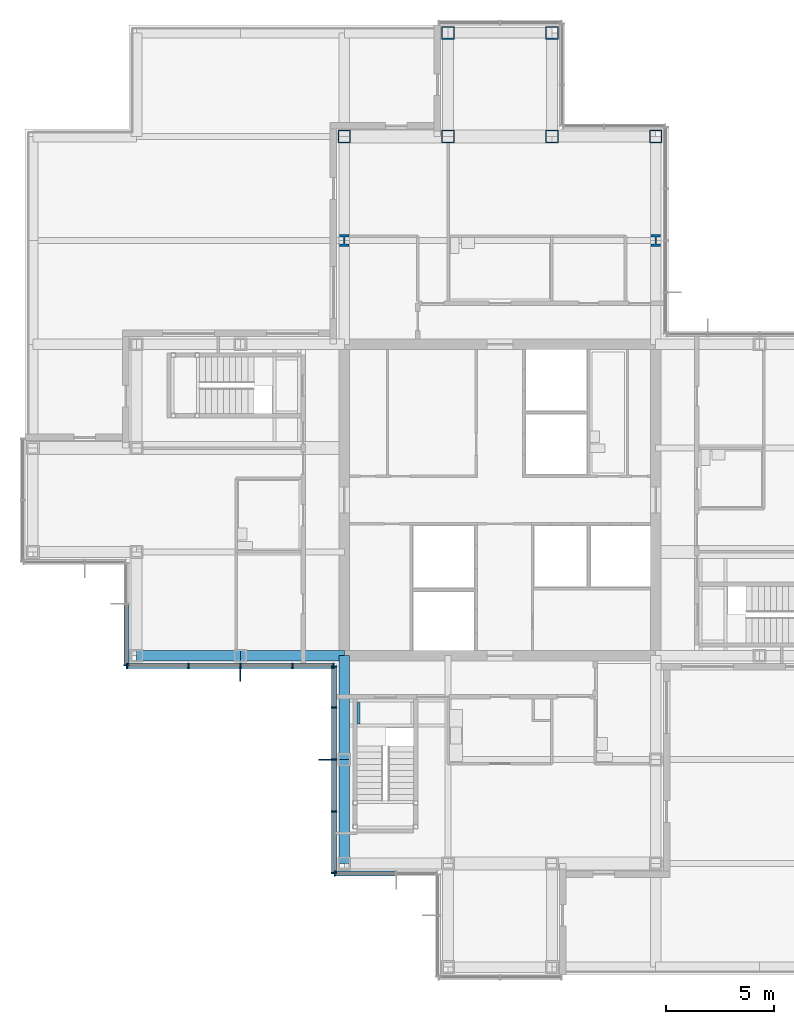
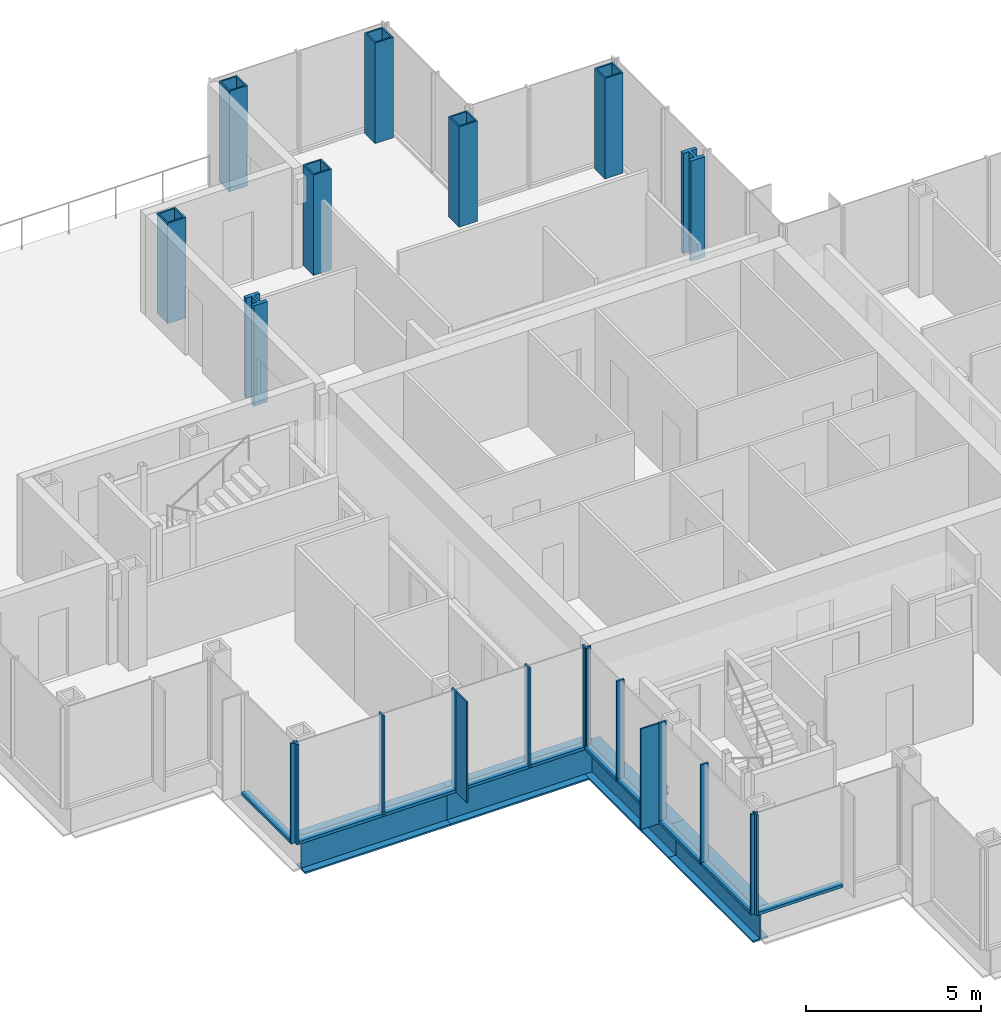
# One storey, part 5 of 17: 24 members, 8 columns, 5 beams, 4 elements without a shape of their own.
"""IFC4 building model written with IfcOpenShell, lengths in metres."""

from ifc_helpers import new_model, si_unit, direction, frame, origin, origin_2d, place, context, subcontext, project, spatial, rectangle, hollow_rectangle, i_section, extrude, material, material_profile, profile_set, type_object, element, aggregate, save


model = new_model("IFC4")

# Units and contexts
model_context = context("Model", 3, precision=1e-05, world=origin(), true_north=direction((0.0, 1.0)))
body_context = subcontext(model_context, "Body", "Model", "MODEL_VIEW")
ifc_project = project(units=[si_unit("LENGTHUNIT", "METRE"), si_unit("AREAUNIT", "SQUARE_METRE"), si_unit("VOLUMEUNIT", "CUBIC_METRE"), si_unit("PLANEANGLEUNIT", "RADIAN"), si_unit("MASSUNIT", "GRAM", prefix="KILO")], contexts=[model_context])

# Site, building, storey
site_placement = place(None, origin())
site = spatial("IfcSite", under=ifc_project, at=site_placement, CompositionType="ELEMENT")
building_placement = place(site_placement, origin())
building = spatial("IfcBuilding", under=site, at=building_placement, Name="Kvirike Care Tower", CompositionType="ELEMENT")
storey_placement = place(building_placement, frame((0.0, 0.0, 141.0)))
storey = spatial("IfcBuildingStorey", under=building, at=storey_placement, Name="L38", CompositionType="ELEMENT", Elevation=141.0)

# Columns
ifc_material_1 = material(Name="Steel S460", Category="steel")
ifc_material_profile_1 = material_profile(ifc_material_1, hollow_rectangle(XDim=0.60009765625, YDim=0.60009765625, WallThickness=0.050048828125, at=origin_2d()), Name="BX 600x600x50")
ifc_profile_set_1 = profile_set([ifc_material_profile_1], Name="Steel S460")
column_type_1 = type_object("IfcColumnType", Name="COLUMN BX 600x600x50", PredefinedType="COLUMN", material=ifc_profile_set_1)
for number, where, z_axis, x_axis, name in (
    (1, (14.39990234375, 52.800048828125, 0.0), (0.0, 0.0, 1.0), (0.0, 1.0, 0.0), "Column M6 L38"),
    (2, (19.199951171875, 52.800048828125, 0.0), (0.0, 0.0, 1.0), (0.0, 1.0, 0.0), "Column M7 L38"),
    (3, (19.199951171875, 57.60009765625, 0.0), (0.0, 0.0, 1.0), (0.0, 1.0, 0.0), "Column N7 L38"),
    (4, (24.0, 52.800048828125, 0.0), (0.0, 0.0, 1.0), (0.0, 1.0, 0.0), "Column M8 L38"),
    (5, (24.0, 57.60009765625, 0.0), (0.0, 0.0, 1.0), (0.0, 1.0, 0.0), "Column N8 L38"),
    (6, (28.800048828125, 52.800048828125, 0.0), (0.0, 0.0, 1.0), (0.0, 1.0, 0.0), "Column M9 L38"),
):
    element("IfcColumn", number, at=place(storey_placement, frame(where, z_axis=z_axis, x_axis=x_axis)), inside=storey, type_object=column_type_1, Name=name, PredefinedType="COLUMN", context=body_context, shape_type="SweptSolid", body=[
        extrude(hollow_rectangle(XDim=0.60009765625, YDim=0.60009765625, WallThickness=0.050048828125, at=origin_2d()), origin(), (0.0, 0.0, 1.0), 3.5),
    ])
ifc_material_2 = material(Name="Steel S460", Category="steel")
ifc_material_profile_2 = material_profile(ifc_material_2, i_section(OverallWidth=0.4541015625, OverallDepth=0.569091796875, WebThickness=0.077880859375, FlangeThickness=0.125, FilletRadius=0.014892578125, at=origin_2d()), Name="HD 400x1086")
ifc_profile_set_2 = profile_set([ifc_material_profile_2], Name="Steel S460")
column_type_2 = type_object("IfcColumnType", Name="COLUMN HD 400x1086", PredefinedType="COLUMN", material=ifc_profile_set_2)
for number, where, z_axis, x_axis, name in (
    (7, (14.39990234375, 48.0, 0.0), (0.0, 0.0, 1.0), (1.0, 0.0, 0.0), "Column L6 L38"),
    (8, (28.800048828125, 48.0, 0.0), (0.0, 0.0, 1.0), (1.0, 0.0, 0.0), "Column L9 L38"),
):
    element("IfcColumn", number, at=place(storey_placement, frame(where, z_axis=z_axis, x_axis=x_axis)), inside=storey, type_object=column_type_2, Name=name, PredefinedType="COLUMN", context=body_context, shape_type="SweptSolid", body=[
        extrude(i_section(OverallWidth=0.4541015625, OverallDepth=0.569091796875, WebThickness=0.077880859375, FlangeThickness=0.125, FilletRadius=0.014892578125, at=origin_2d()), origin(), (0.0, 0.0, 1.0), 3.5),
    ])

# Curtain wall, member
ifc_material_3 = material(Name="Anodised aluminium stick system", Category="aluminium")
curtain_wall_type = type_object("IfcCurtainWallType", Name="CW-C STICK CURTAIN WALL", PredefinedType="NOTDEFINED", material=ifc_material_3)
curtain_wall_1_placement = place(storey_placement, origin())
curtain_wall_1 = element("IfcCurtainWall", 9, at=curtain_wall_1_placement, inside=storey, type_object=curtain_wall_type, Name="Curtain wall L38 face 21", PredefinedType="NOTDEFINED")
ifc_material_4 = material(Name="Bronze anodised aluminium fin", Category="aluminium")
ifc_material_profile_3 = material_profile(ifc_material_4, rectangle(XDim=0.050048828125, YDim=0.60009765625, at=origin_2d()), Name="BRONZE FIN 600")
ifc_profile_set_3 = profile_set([ifc_material_profile_3], Name="Bronze anodised aluminium fin")
member_type_1 = type_object("IfcMemberType", Name="BRONZE FIN 600", PredefinedType="USERDEFINED", material=ifc_profile_set_3)
member_1_placement = place(storey_placement, frame((9.60009765625, 27.909912109375, 0.0), z_axis=(0.0, 0.0, 1.0), x_axis=(1.0, 0.0, 0.0)))
member_1 = element("IfcMember", 10, at=member_1_placement, type_object=member_type_1, Name="Bronze fin L38 face 21.3", ObjectType="FIN", PredefinedType="USERDEFINED", context=body_context, shape_type="SweptSolid", body=[
    extrude(rectangle(XDim=0.050048828125, YDim=0.60009765625, at=origin_2d()), origin(), (0.0, 0.0, 1.0), 3.5),
])

curtain_wall_2_placement = place(storey_placement, origin())
curtain_wall_2 = element("IfcCurtainWall", 11, at=curtain_wall_2_placement, inside=storey, type_object=curtain_wall_type, Name="Curtain wall L38 face 22", PredefinedType="NOTDEFINED")
member_2_placement = place(storey_placement, frame((13.510009765625, 24.0, 0.0), z_axis=(0.0, 0.0, 1.0), x_axis=(0.0, -1.0, 0.0)))
member_2 = element("IfcMember", 12, at=member_2_placement, type_object=member_type_1, Name="Bronze fin L38 face 22.3", ObjectType="FIN", PredefinedType="USERDEFINED", context=body_context, shape_type="SweptSolid", body=[
    extrude(rectangle(XDim=0.050048828125, YDim=0.60009765625, at=origin_2d()), origin(), (0.0, 0.0, 1.0), 3.5),
])

curtain_wall_3_placement = place(storey_placement, origin())
curtain_wall_3 = element("IfcCurtainWall", 13, at=curtain_wall_3_placement, inside=storey, type_object=curtain_wall_type, Name="Curtain wall L38 face 20", PredefinedType="NOTDEFINED")
ifc_material_5 = material(Name="Bronze anodised aluminium mullion", Category="aluminium")
ifc_material_profile_4 = material_profile(ifc_material_5, rectangle(XDim=0.06494140625, YDim=0.239990234375, at=origin_2d()), Name="CW-C MULLION 65x240")
ifc_profile_set_4 = profile_set([ifc_material_profile_4], Name="Bronze anodised aluminium mullion")
member_type_2 = type_object("IfcMemberType", Name="CW-C MULLION 65x240", PredefinedType="MULLION", material=ifc_profile_set_4)
member_3_placement = place(storey_placement, frame((4.330078125, 28.362548828125, 0.0), z_axis=(0.0, 0.0, 1.0), x_axis=(0.0, -1.0, 0.0)))
member_3 = element("IfcMember", 14, at=member_3_placement, type_object=member_type_2, Name="CW-C mullion L38 face 20.3", PredefinedType="MULLION", context=body_context, shape_type="SweptSolid", body=[
    extrude(rectangle(XDim=0.06494140625, YDim=0.239990234375, at=origin_2d()), origin(), (0.0, 0.0, 1.0), 3.5),
])

# Member
member_4_placement = place(storey_placement, frame((4.362548828125, 28.330078125, 0.0), z_axis=(0.0, 0.0, 1.0), x_axis=(1.0, 0.0, 0.0)))
member_4 = element("IfcMember", 15, at=member_4_placement, type_object=member_type_2, Name="CW-C mullion L38 face 21.1", PredefinedType="MULLION", context=body_context, shape_type="SweptSolid", body=[
    extrude(rectangle(XDim=0.06494140625, YDim=0.239990234375, at=origin_2d()), origin(), (0.0, 0.0, 1.0), 3.5),
])

member_5_placement = place(storey_placement, frame((7.199951171875, 28.330078125, 0.0), z_axis=(0.0, 0.0, 1.0), x_axis=(1.0, 0.0, 0.0)))
member_5 = element("IfcMember", 16, at=member_5_placement, type_object=member_type_2, Name="CW-C mullion L38 face 21.2", PredefinedType="MULLION", context=body_context, shape_type="SweptSolid", body=[
    extrude(rectangle(XDim=0.06494140625, YDim=0.239990234375, at=origin_2d()), origin(), (0.0, 0.0, 1.0), 3.5),
])

member_6_placement = place(storey_placement, frame((9.60009765625, 28.330078125, 0.0), z_axis=(0.0, 0.0, 1.0), x_axis=(1.0, 0.0, 0.0)))
member_6 = element("IfcMember", 17, at=member_6_placement, type_object=member_type_2, Name="CW-C mullion L38 face 21.3", PredefinedType="MULLION", context=body_context, shape_type="SweptSolid", body=[
    extrude(rectangle(XDim=0.06494140625, YDim=0.239990234375, at=origin_2d()), origin(), (0.0, 0.0, 1.0), 3.5),
])

member_7_placement = place(storey_placement, frame((12.0, 28.330078125, 0.0), z_axis=(0.0, 0.0, 1.0), x_axis=(1.0, 0.0, 0.0)))
member_7 = element("IfcMember", 18, at=member_7_placement, type_object=member_type_2, Name="CW-C mullion L38 face 21.4", PredefinedType="MULLION", context=body_context, shape_type="SweptSolid", body=[
    extrude(rectangle(XDim=0.06494140625, YDim=0.239990234375, at=origin_2d()), origin(), (0.0, 0.0, 1.0), 3.5),
])

member_8_placement = place(storey_placement, frame((13.8974609375, 28.330078125, 0.0), z_axis=(0.0, 0.0, 1.0), x_axis=(1.0, 0.0, 0.0)))
member_8 = element("IfcMember", 19, at=member_8_placement, type_object=member_type_2, Name="CW-C mullion L38 face 21.5", PredefinedType="MULLION", context=body_context, shape_type="SweptSolid", body=[
    extrude(rectangle(XDim=0.06494140625, YDim=0.239990234375, at=origin_2d()), origin(), (0.0, 0.0, 1.0), 3.5),
])

member_9_placement = place(storey_placement, frame((13.929931640625, 28.297607421875, 0.0), z_axis=(0.0, 0.0, 1.0), x_axis=(0.0, -1.0, 0.0)))
member_9 = element("IfcMember", 20, at=member_9_placement, type_object=member_type_2, Name="CW-C mullion L38 face 22.1", PredefinedType="MULLION", context=body_context, shape_type="SweptSolid", body=[
    extrude(rectangle(XDim=0.06494140625, YDim=0.239990234375, at=origin_2d()), origin(), (0.0, 0.0, 1.0), 3.5),
])

member_10_placement = place(storey_placement, frame((13.929931640625, 26.39990234375, 0.0), z_axis=(0.0, 0.0, 1.0), x_axis=(0.0, -1.0, 0.0)))
member_10 = element("IfcMember", 21, at=member_10_placement, type_object=member_type_2, Name="CW-C mullion L38 face 22.2", PredefinedType="MULLION", context=body_context, shape_type="SweptSolid", body=[
    extrude(rectangle(XDim=0.06494140625, YDim=0.239990234375, at=origin_2d()), origin(), (0.0, 0.0, 1.0), 3.5),
])

member_11_placement = place(storey_placement, frame((13.929931640625, 24.0, 0.0), z_axis=(0.0, 0.0, 1.0), x_axis=(0.0, -1.0, 0.0)))
member_11 = element("IfcMember", 22, at=member_11_placement, type_object=member_type_2, Name="CW-C mullion L38 face 22.3", PredefinedType="MULLION", context=body_context, shape_type="SweptSolid", body=[
    extrude(rectangle(XDim=0.06494140625, YDim=0.239990234375, at=origin_2d()), origin(), (0.0, 0.0, 1.0), 3.5),
])

member_12_placement = place(storey_placement, frame((13.929931640625, 21.60009765625, 0.0), z_axis=(0.0, 0.0, 1.0), x_axis=(0.0, -1.0, 0.0)))
member_12 = element("IfcMember", 23, at=member_12_placement, type_object=member_type_2, Name="CW-C mullion L38 face 22.4", PredefinedType="MULLION", context=body_context, shape_type="SweptSolid", body=[
    extrude(rectangle(XDim=0.06494140625, YDim=0.239990234375, at=origin_2d()), origin(), (0.0, 0.0, 1.0), 3.5),
])

member_13_placement = place(storey_placement, frame((13.929931640625, 18.762451171875, 0.0), z_axis=(0.0, 0.0, 1.0), x_axis=(0.0, -1.0, 0.0)))
member_13 = element("IfcMember", 24, at=member_13_placement, type_object=member_type_2, Name="CW-C mullion L38 face 22.5", PredefinedType="MULLION", context=body_context, shape_type="SweptSolid", body=[
    extrude(rectangle(XDim=0.06494140625, YDim=0.239990234375, at=origin_2d()), origin(), (0.0, 0.0, 1.0), 3.5),
])

# Curtain wall, member
curtain_wall_4_placement = place(storey_placement, origin())
curtain_wall_4 = element("IfcCurtainWall", 25, at=curtain_wall_4_placement, inside=storey, type_object=curtain_wall_type, Name="Curtain wall L38 face 23", PredefinedType="NOTDEFINED")
member_14_placement = place(storey_placement, frame((13.96240234375, 18.72998046875, 0.0), z_axis=(0.0, 0.0, 1.0), x_axis=(1.0, 0.0, 0.0)))
member_14 = element("IfcMember", 26, at=member_14_placement, type_object=member_type_2, Name="CW-C mullion L38 face 23.1", PredefinedType="MULLION", context=body_context, shape_type="SweptSolid", body=[
    extrude(rectangle(XDim=0.06494140625, YDim=0.239990234375, at=origin_2d()), origin(), (0.0, 0.0, 1.0), 3.5),
])

# Member
ifc_material_6 = material(Name="Bronze anodised aluminium transom", Category="aluminium")
ifc_material_profile_5 = material_profile(ifc_material_6, rectangle(XDim=0.239990234375, YDim=0.10009765625, at=origin_2d()), Name="CW-C TRANSOM 240x100")
ifc_profile_set_5 = profile_set([ifc_material_profile_5], Name="Bronze anodised aluminium transom")
member_type_3 = type_object("IfcMemberType", Name="CW-C TRANSOM 240x100", PredefinedType="USERDEFINED", material=ifc_profile_set_5)
member_15_placement = place(storey_placement, frame((4.330078125, 31.16748046875, 0.050048828125), z_axis=(0.0, -1.0, 0.0), x_axis=(1.0, 0.0, 0.0)))
member_15 = element("IfcMember", 27, at=member_15_placement, type_object=member_type_3, Name="CW-C sill transom L38 face 20.2", ObjectType="TRANSOM", PredefinedType="USERDEFINED", context=body_context, shape_type="SweptSolid", body=[
    extrude(rectangle(XDim=0.239990234375, YDim=0.10009765625, at=origin_2d()), origin(), (0.0, 0.0, 1.0), 2.7724609375),
])

aggregate(curtain_wall_3, [member_3, member_15])

member_16_placement = place(storey_placement, frame((4.39501953125, 28.330078125, 0.050048828125), z_axis=(1.0, 0.0, 0.0), x_axis=(0.0, 1.0, 0.0)))
member_16 = element("IfcMember", 28, at=member_16_placement, type_object=member_type_3, Name="CW-C sill transom L38 face 21.1", ObjectType="TRANSOM", PredefinedType="USERDEFINED", context=body_context, shape_type="SweptSolid", body=[
    extrude(rectangle(XDim=0.239990234375, YDim=0.10009765625, at=origin_2d()), origin(), (0.0, 0.0, 1.0), 2.7724609375),
])

member_17_placement = place(storey_placement, frame((7.232421875, 28.330078125, 0.050048828125), z_axis=(1.0, 0.0, 0.0), x_axis=(0.0, 1.0, 0.0)))
member_17 = element("IfcMember", 29, at=member_17_placement, type_object=member_type_3, Name="CW-C sill transom L38 face 21.2", ObjectType="TRANSOM", PredefinedType="USERDEFINED", context=body_context, shape_type="SweptSolid", body=[
    extrude(rectangle(XDim=0.239990234375, YDim=0.10009765625, at=origin_2d()), origin(), (0.0, 0.0, 1.0), 2.3349609375),
])

member_18_placement = place(storey_placement, frame((9.632568359375, 28.330078125, 0.050048828125), z_axis=(1.0, 0.0, 0.0), x_axis=(0.0, 1.0, 0.0)))
member_18 = element("IfcMember", 30, at=member_18_placement, type_object=member_type_3, Name="CW-C sill transom L38 face 21.3", ObjectType="TRANSOM", PredefinedType="USERDEFINED", context=body_context, shape_type="SweptSolid", body=[
    extrude(rectangle(XDim=0.239990234375, YDim=0.10009765625, at=origin_2d()), origin(), (0.0, 0.0, 1.0), 2.3349609375),
])

member_19_placement = place(storey_placement, frame((12.032470703125, 28.330078125, 0.050048828125), z_axis=(1.0, 0.0, 0.0), x_axis=(0.0, 1.0, 0.0)))
member_19 = element("IfcMember", 31, at=member_19_placement, type_object=member_type_3, Name="CW-C sill transom L38 face 21.4", ObjectType="TRANSOM", PredefinedType="USERDEFINED", context=body_context, shape_type="SweptSolid", body=[
    extrude(rectangle(XDim=0.239990234375, YDim=0.10009765625, at=origin_2d()), origin(), (0.0, 0.0, 1.0), 1.83251953125),
])

aggregate(curtain_wall_1, [member_4, member_5, member_6, member_1, member_7, member_8, member_16, member_17, member_18, member_19])

member_20_placement = place(storey_placement, frame((13.929931640625, 28.264892578125, 0.050048828125), z_axis=(0.0, -1.0, 0.0), x_axis=(1.0, 0.0, 0.0)))
member_20 = element("IfcMember", 32, at=member_20_placement, type_object=member_type_3, Name="CW-C sill transom L38 face 22.1", ObjectType="TRANSOM", PredefinedType="USERDEFINED", context=body_context, shape_type="SweptSolid", body=[
    extrude(rectangle(XDim=0.239990234375, YDim=0.10009765625, at=origin_2d()), origin(), (0.0, 0.0, 1.0), 1.832275390625),
])

member_21_placement = place(storey_placement, frame((13.929931640625, 26.367431640625, 0.050048828125), z_axis=(0.0, -1.0, 0.0), x_axis=(1.0, 0.0, 0.0)))
member_21 = element("IfcMember", 33, at=member_21_placement, type_object=member_type_3, Name="CW-C sill transom L38 face 22.2", ObjectType="TRANSOM", PredefinedType="USERDEFINED", context=body_context, shape_type="SweptSolid", body=[
    extrude(rectangle(XDim=0.239990234375, YDim=0.10009765625, at=origin_2d()), origin(), (0.0, 0.0, 1.0), 2.3349609375),
])

member_22_placement = place(storey_placement, frame((13.929931640625, 23.967529296875, 0.050048828125), z_axis=(0.0, -1.0, 0.0), x_axis=(1.0, 0.0, 0.0)))
member_22 = element("IfcMember", 34, at=member_22_placement, type_object=member_type_3, Name="CW-C sill transom L38 face 22.3", ObjectType="TRANSOM", PredefinedType="USERDEFINED", context=body_context, shape_type="SweptSolid", body=[
    extrude(rectangle(XDim=0.239990234375, YDim=0.10009765625, at=origin_2d()), origin(), (0.0, 0.0, 1.0), 2.3349609375),
])

member_23_placement = place(storey_placement, frame((13.929931640625, 21.5673828125, 0.050048828125), z_axis=(0.0, -1.0, 0.0), x_axis=(1.0, 0.0, 0.0)))
member_23 = element("IfcMember", 35, at=member_23_placement, type_object=member_type_3, Name="CW-C sill transom L38 face 22.4", ObjectType="TRANSOM", PredefinedType="USERDEFINED", context=body_context, shape_type="SweptSolid", body=[
    extrude(rectangle(XDim=0.239990234375, YDim=0.10009765625, at=origin_2d()), origin(), (0.0, 0.0, 1.0), 2.7724609375),
])

aggregate(curtain_wall_2, [member_9, member_10, member_11, member_2, member_12, member_13, member_20, member_21, member_22, member_23])

member_24_placement = place(storey_placement, frame((13.9951171875, 18.72998046875, 0.050048828125), z_axis=(1.0, 0.0, 0.0), x_axis=(0.0, 1.0, 0.0)))
member_24 = element("IfcMember", 36, at=member_24_placement, type_object=member_type_3, Name="CW-C sill transom L38 face 23.1", ObjectType="TRANSOM", PredefinedType="USERDEFINED", context=body_context, shape_type="SweptSolid", body=[
    extrude(rectangle(XDim=0.239990234375, YDim=0.10009765625, at=origin_2d()), origin(), (0.0, 0.0, 1.0), 2.7724609375),
])

aggregate(curtain_wall_4, [member_14, member_24])

# Beams
ifc_material_7 = material(Name="Steel S355", Category="steel")
ifc_material_profile_6 = material_profile(ifc_material_7, i_section(OverallWidth=0.5, OverallDepth=1.199951171875, WebThickness=0.030029296875, FlangeThickness=0.06005859375, at=origin_2d()), Name="PG 1200x500x30x60")
ifc_profile_set_6 = profile_set([ifc_material_profile_6], Name="Steel S355")
beam_type_1 = type_object("IfcBeamType", Name="SPANDREL PG 1200x500x30x60", PredefinedType="SPANDREL", material=ifc_profile_set_6)
beam_1_placement = place(storey_placement, frame((4.800048828125, 28.800048828125, -0.77001953125), z_axis=(1.0, 0.0, 0.0), x_axis=(0.0, 1.0, 0.0)))
element("IfcBeam", 37, at=beam_1_placement, inside=storey, type_object=beam_type_1, Name="Spandrel G4-G5 L38", PredefinedType="SPANDREL", context=body_context, shape_type="SweptSolid", body=[
    extrude(i_section(OverallWidth=0.5, OverallDepth=1.199951171875, WebThickness=0.030029296875, FlangeThickness=0.06005859375, at=origin_2d()), origin(), (0.0, 0.0, 1.0), 4.800048828125),
])
beam_2_placement = place(storey_placement, frame((9.60009765625, 28.800048828125, -0.77001953125), z_axis=(1.0, 0.0, 0.0), x_axis=(0.0, 1.0, 0.0)))
element("IfcBeam", 38, at=beam_2_placement, inside=storey, type_object=beam_type_1, Name="Spandrel G5-G6 L38", PredefinedType="SPANDREL", context=body_context, shape_type="SweptSolid", body=[
    extrude(i_section(OverallWidth=0.5, OverallDepth=1.199951171875, WebThickness=0.030029296875, FlangeThickness=0.06005859375, at=origin_2d()), origin(), (0.0, 0.0, 1.0), 4.7998046875),
])
for number, where, z_axis, x_axis, name in (
    (39, (14.39990234375, 19.199951171875, -0.77001953125), (0.0, 1.0, 0.0), (-1.0, 0.0, 0.0), "Spandrel E6-F6 L38"),
    (40, (14.39990234375, 24.0, -0.77001953125), (0.0, 1.0, 0.0), (-1.0, 0.0, 0.0), "Spandrel F6-G6 L38"),
):
    element("IfcBeam", number, at=place(storey_placement, frame(where, z_axis=z_axis, x_axis=x_axis)), inside=storey, type_object=beam_type_1, Name=name, PredefinedType="SPANDREL", context=body_context, shape_type="SweptSolid", body=[
        extrude(i_section(OverallWidth=0.5, OverallDepth=1.199951171875, WebThickness=0.030029296875, FlangeThickness=0.06005859375, at=origin_2d()), origin(), (0.0, 0.0, 1.0), 4.800048828125),
    ])
ifc_material_8 = material(Name="Steel S355", Category="steel")
ifc_material_profile_7 = material_profile(ifc_material_8, i_section(OverallWidth=0.1201171875, OverallDepth=0.239990234375, WebThickness=0.006103515625, FlangeThickness=0.009765625, FilletRadius=0.014892578125, at=origin_2d()), Name="IPE 240")
ifc_profile_set_7 = profile_set([ifc_material_profile_7], Name="Steel S355")
beam_type_2 = type_object("IfcBeamType", Name="STAIR LANDING BEAM IPE 240", PredefinedType="BEAM", material=ifc_profile_set_7)
beam_3_placement = place(storey_placement, frame((15.06005859375, 25.64990234375, -0.320068359375), z_axis=(0.0, 1.0, 0.0), x_axis=(-1.0, 0.0, 0.0)))
element("IfcBeam", 41, at=beam_3_placement, inside=storey, type_object=beam_type_2, Name="Stair 5 landing edge beam 1 L38", PredefinedType="BEAM", context=body_context, shape_type="SweptSolid", body=[
    extrude(i_section(OverallWidth=0.1201171875, OverallDepth=0.239990234375, WebThickness=0.006103515625, FlangeThickness=0.009765625, FilletRadius=0.014892578125, at=origin_2d()), origin(), (0.0, 0.0, 1.0), 1.0),
])

save(model, "model.ifc")
